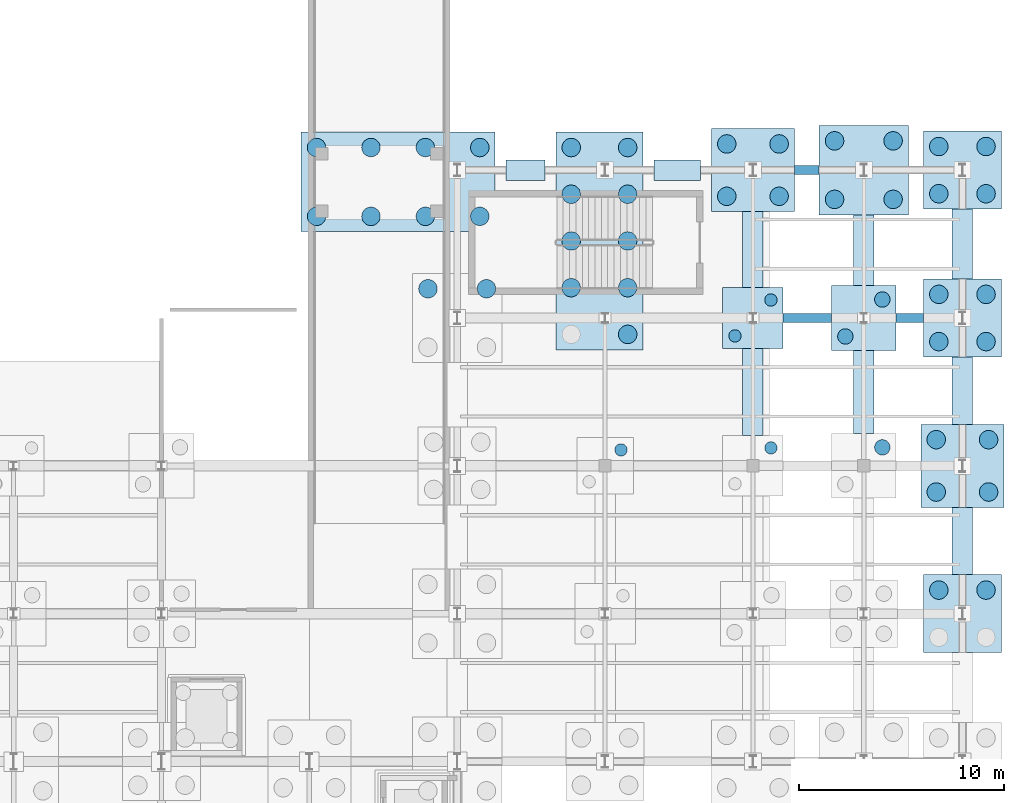
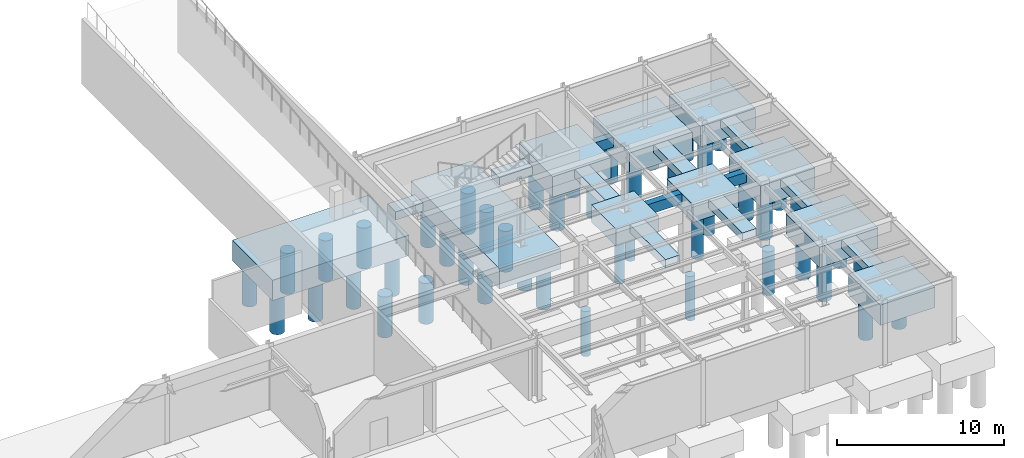
# One storey, part 15 of 64: 48 piles, 22 footings.
"""IFC4 building model written with IfcOpenShell, lengths in metres."""

from ifc_helpers import new_model, si_unit, direction, frame, origin, origin_2d, place, context, subcontext, project, spatial, rectangle, circle, extrude, material, material_profile, profile_set, type_object, element, save


model = new_model("IFC4")

# Units and contexts
model_context = context("Model", 3, precision=1e-05, world=origin(), true_north=direction((0.0, 1.0)))
body_context = subcontext(model_context, "Body", "Model", "MODEL_VIEW")
ifc_project = project(units=[si_unit("LENGTHUNIT", "METRE"), si_unit("AREAUNIT", "SQUARE_METRE"), si_unit("VOLUMEUNIT", "CUBIC_METRE"), si_unit("PLANEANGLEUNIT", "RADIAN"), si_unit("MASSUNIT", "GRAM", prefix="KILO")], contexts=[model_context])

# Site, building, storey
site_placement = place(None, origin())
site = spatial("IfcSite", under=ifc_project, at=site_placement, CompositionType="ELEMENT")
building_placement = place(site_placement, origin())
building = spatial("IfcBuilding", under=site, at=building_placement, Name="Solvadek Multi-Sports Hall", CompositionType="ELEMENT")
storey_placement = place(building_placement, frame((0.0, 0.0, -4.800048828125)))
storey = spatial("IfcBuildingStorey", under=building, at=storey_placement, Name="B1", CompositionType="ELEMENT", Elevation=-4.800048828125)

# Footings
ifc_material_1 = material(Name="Concrete M40", Category="concrete")
footing_type_1 = type_object("IfcFootingType", Name="STR-CAP-295X295X125", PredefinedType="PILE_CAP", material=ifc_material_1)
footing_1_placement = place(storey_placement, frame((151.199951171875, 63.60009765625, -1.25), z_axis=(0.0, 0.0, 1.0), x_axis=(1.0, 0.0, 0.0)))
element("IfcFooting", 1, at=footing_1_placement, inside=storey, type_object=footing_type_1, Name="Pile Cap PC-14 #211", PredefinedType="PILE_CAP", context=body_context, shape_type="SweptSolid", body=[
    extrude(rectangle(XDim=2.949951171875, YDim=2.949951171875, at=origin_2d()), origin(), (0.0, 0.0, 1.0), 1.25),
])
footing_type_2 = type_object("IfcFootingType", Name="STR-CAP-315X315X130", PredefinedType="PILE_CAP", material=ifc_material_1)
footing_2_placement = place(storey_placement, frame((156.60009765625, 63.60009765625, -1.2998046875), z_axis=(0.0, 0.0, 1.0), x_axis=(1.0, 0.0, 0.0)))
element("IfcFooting", 2, at=footing_2_placement, inside=storey, type_object=footing_type_2, Name="Pile Cap PC-15 #212", PredefinedType="PILE_CAP", context=body_context, shape_type="SweptSolid", body=[
    extrude(rectangle(XDim=3.14990234375, YDim=3.14990234375, at=origin_2d()), origin(), (0.0, 0.0, 1.0), 1.300048828125),
])
footing_type_3 = type_object("IfcFootingType", Name="STR-CAP-380X380X150", PredefinedType="PILE_CAP", material=ifc_material_1)
for number, where, z_axis, x_axis, name in (
    (3, (161.39990234375, 49.199951171875, -1.5), (0.0, 0.0, 1.0), (1.0, 0.0, 0.0), "Pile Cap PC-06 #157"),
    (4, (161.39990234375, 63.60009765625, -1.5), (0.0, 0.0, 1.0), (1.0, 0.0, 0.0), "Pile Cap PC-06 #199"),
    (5, (161.39990234375, 70.800048828125, -1.5), (0.0, 0.0, 1.0), (1.0, 0.0, 0.0), "Pile Cap PC-06 #220"),
):
    element("IfcFooting", number, at=place(storey_placement, frame(where, z_axis=z_axis, x_axis=x_axis)), inside=storey, type_object=footing_type_3, Name=name, PredefinedType="PILE_CAP", context=body_context, shape_type="SweptSolid", body=[
        extrude(rectangle(XDim=3.800048828125, YDim=3.800048828125, at=origin_2d()), origin(), (0.0, 0.0, 1.0), 1.5),
    ])
footing_type_4 = type_object("IfcFootingType", Name="STR-CAP-405X405X150", PredefinedType="PILE_CAP", material=ifc_material_1)
for number, where, z_axis, x_axis, name in (
    (6, (161.39990234375, 56.39990234375, -1.5), (0.0, 0.0, 1.0), (1.0, 0.0, 0.0), "Pile Cap PC-17 #176"),
    (7, (151.199951171875, 70.800048828125, -1.5), (0.0, 0.0, 1.0), (1.0, 0.0, 0.0), "Pile Cap PC-17 #218"),
):
    element("IfcFooting", number, at=place(storey_placement, frame(where, z_axis=z_axis, x_axis=x_axis)), inside=storey, type_object=footing_type_4, Name=name, PredefinedType="PILE_CAP", context=body_context, shape_type="SweptSolid", body=[
        extrude(rectangle(XDim=4.050048828125, YDim=4.050048828125, at=origin_2d()), origin(), (0.0, 0.0, 1.0), 1.5),
    ])
footing_type_5 = type_object("IfcFootingType", Name="STR-CAP-435X435X150", PredefinedType="PILE_CAP", material=ifc_material_1)
footing_3_placement = place(storey_placement, frame((156.60009765625, 70.800048828125, -1.5), z_axis=(0.0, 0.0, 1.0), x_axis=(1.0, 0.0, 0.0)))
element("IfcFooting", 8, at=footing_3_placement, inside=storey, type_object=footing_type_5, Name="Pile Cap PC-18 #219", PredefinedType="PILE_CAP", context=body_context, shape_type="SweptSolid", body=[
    extrude(rectangle(XDim=4.35009765625, YDim=4.35009765625, at=origin_2d()), origin(), (0.0, 0.0, 1.0), 1.5),
])
footing_type_6 = type_object("IfcFootingType", Name="STR-CAP-CMB-1060X425", PredefinedType="PILE_CAP", material=ifc_material_1)
footing_4_placement = place(storey_placement, frame((143.72509765625, 67.35009765625, -1.5), z_axis=(0.0, 0.0, 1.0), x_axis=(0.0, 1.0, 0.0)))
element("IfcFooting", 9, at=footing_4_placement, inside=storey, type_object=footing_type_6, Name="Pile Cap PC-R210 #210", PredefinedType="PILE_CAP", context=body_context, shape_type="SweptSolid", body=[
    extrude(rectangle(XDim=10.60009765625, YDim=4.25, at=origin_2d()), origin(), (0.0, 0.0, 1.0), 1.5),
])
footing_type_7 = type_object("IfcFootingType", Name="STR-CAP-CMB-945X485", PredefinedType="PILE_CAP", material=ifc_material_1)
footing_5_placement = place(storey_placement, frame((133.925048828125, 70.22509765625, -1.5), z_axis=(0.0, 0.0, 1.0), x_axis=(1.0, 0.0, 0.0)))
element("IfcFooting", 10, at=footing_5_placement, inside=storey, type_object=footing_type_7, Name="Pile Cap PC-R215 #215", PredefinedType="PILE_CAP", context=body_context, shape_type="SweptSolid", body=[
    extrude(rectangle(XDim=9.449951171875, YDim=4.85009765625, at=origin_2d()), origin(), (0.0, 0.0, 1.0), 1.5),
])
footing_type_8 = type_object("IfcFootingType", Name="STR-FTB-450X750", PredefinedType="FOOTING_BEAM", material=ifc_material_1)
footing_6_placement = place(storey_placement, frame((153.85009765625, 63.60009765625, -0.75), z_axis=(0.0, 0.0, 1.0), x_axis=(1.0, 0.0, 0.0)))
element("IfcFooting", 11, at=footing_6_placement, inside=storey, type_object=footing_type_8, Name="Foundation Beam FB-02 #152", PredefinedType="FOOTING_BEAM", context=body_context, shape_type="SweptSolid", body=[
    extrude(rectangle(XDim=2.35009765625, YDim=0.449951171875, at=origin_2d()), origin(), (0.0, 0.0, 1.0), 0.75),
])
footing_7_placement = place(storey_placement, frame((158.83740234375, 63.60009765625, -0.75), z_axis=(0.0, 0.0, 1.0), x_axis=(1.0, 0.0, 0.0)))
element("IfcFooting", 12, at=footing_7_placement, inside=storey, type_object=footing_type_8, Name="Foundation Beam FB-02 #153", PredefinedType="FOOTING_BEAM", context=body_context, shape_type="SweptSolid", body=[
    extrude(rectangle(XDim=1.324951171875, YDim=0.449951171875, at=origin_2d()), origin(), (0.0, 0.0, 1.0), 0.75),
])
footing_8_placement = place(storey_placement, frame((153.824951171875, 70.800048828125, -0.75), z_axis=(0.0, 0.0, 1.0), x_axis=(1.0, 0.0, 0.0)))
element("IfcFooting", 13, at=footing_8_placement, inside=storey, type_object=footing_type_8, Name="Foundation Beam FB-02 #164", PredefinedType="FOOTING_BEAM", context=body_context, shape_type="SweptSolid", body=[
    extrude(rectangle(XDim=1.199951171875, YDim=0.449951171875, at=origin_2d()), origin(), (0.0, 0.0, 1.0), 0.75),
])

# Piles
ifc_material_2 = material(Name="Concrete M35", Category="concrete")
ifc_material_profile_1 = material_profile(ifc_material_2, circle(Radius=0.300048828125, at=origin_2d()), Name="BORED PILE D600")
ifc_profile_set_1 = profile_set([ifc_material_profile_1], Name="Concrete M35")
pile_type_1 = type_object("IfcPileType", Name="STR-PILE-D600", PredefinedType="BORED", material=ifc_profile_set_1)
pile_placement = place(storey_placement, frame((144.77490234375, 57.175048828125, -1.099853515625), z_axis=(0.0, 0.0, -1.0), x_axis=(1.0, 0.0, 0.0)))
element("IfcPile", 14, at=pile_placement, inside=storey, type_object=pile_type_1, Name="Bored Pile PL-600 #603", PredefinedType="BORED", context=body_context, shape_type="SweptSolid", body=[
    extrude(circle(Radius=0.300048828125, at=origin_2d()), origin(), (0.0, 0.0, 1.0), 3.300048828125),
])
for number, where, z_axis, x_axis, name in (
    (15, (152.074951171875, 57.27490234375, -1.14990234375), (0.0, 0.0, -1.0), (1.0, 0.0, 0.0), "Bored Pile PL-600 #605"),
    (16, (150.324951171875, 62.72509765625, -1.14990234375), (0.0, 0.0, -1.0), (1.0, 0.0, 0.0), "Bored Pile PL-600 #660"),
    (17, (152.074951171875, 64.47509765625, -1.14990234375), (0.0, 0.0, -1.0), (1.0, 0.0, 0.0), "Bored Pile PL-600 #661"),
):
    element("IfcPile", number, at=place(storey_placement, frame(where, z_axis=z_axis, x_axis=x_axis)), inside=storey, type_object=pile_type_1, Name=name, PredefinedType="BORED", context=body_context, shape_type="SweptSolid", body=[
        extrude(circle(Radius=0.300048828125, at=origin_2d()), origin(), (0.0, 0.0, 1.0), 3.25),
    ])
ifc_material_profile_2 = material_profile(ifc_material_2, circle(Radius=0.375, at=origin_2d()), Name="BORED PILE D750")
ifc_profile_set_2 = profile_set([ifc_material_profile_2], Name="Concrete M35")
pile_type_2 = type_object("IfcPileType", Name="STR-PILE-D750", PredefinedType="BORED", material=ifc_profile_set_2)
for number, where, z_axis, x_axis, name in (
    (18, (157.5, 57.300048828125, -1.199951171875), (0.0, 0.0, -1.0), (1.0, 0.0, 0.0), "Bored Pile PL-750 #607"),
    (19, (155.699951171875, 62.699951171875, -1.199951171875), (0.0, 0.0, -1.0), (1.0, 0.0, 0.0), "Bored Pile PL-750 #662"),
    (20, (157.5, 64.5, -1.199951171875), (0.0, 0.0, -1.0), (1.0, 0.0, 0.0), "Bored Pile PL-750 #663"),
):
    element("IfcPile", number, at=place(storey_placement, frame(where, z_axis=z_axis, x_axis=x_axis)), inside=storey, type_object=pile_type_2, Name=name, PredefinedType="BORED", context=body_context, shape_type="SweptSolid", body=[
        extrude(circle(Radius=0.375, at=origin_2d()), origin(), (0.0, 0.0, 1.0), 3.199951171875),
    ])
ifc_material_profile_3 = material_profile(ifc_material_2, circle(Radius=0.449951171875, at=origin_2d()), Name="BORED PILE D900")
ifc_profile_set_3 = profile_set([ifc_material_profile_3], Name="Concrete M35")
pile_type_3 = type_object("IfcPileType", Name="STR-PILE-D900", PredefinedType="BORED", material=ifc_profile_set_3)
for number, where, z_axis, x_axis, name in (
    (21, (160.25, 50.35009765625, -1.39990234375), (0.0, 0.0, -1.0), (1.0, 0.0, 0.0), "Bored Pile PL-900 #507"),
    (22, (162.550048828125, 50.35009765625, -1.39990234375), (0.0, 0.0, -1.0), (1.0, 0.0, 0.0), "Bored Pile PL-900 #509"),
    (23, (160.125, 55.125, -1.39990234375), (0.0, 0.0, -1.0), (1.0, 0.0, 0.0), "Bored Pile PL-900 #560"),
    (24, (160.125, 57.675048828125, -1.39990234375), (0.0, 0.0, -1.0), (1.0, 0.0, 0.0), "Bored Pile PL-900 #561"),
    (25, (162.675048828125, 55.125, -1.39990234375), (0.0, 0.0, -1.0), (1.0, 0.0, 0.0), "Bored Pile PL-900 #562"),
    (26, (162.675048828125, 57.675048828125, -1.39990234375), (0.0, 0.0, -1.0), (1.0, 0.0, 0.0), "Bored Pile PL-900 #563"),
    (27, (135.375, 65.02490234375, -1.39990234375), (0.0, 0.0, -1.0), (1.0, 0.0, 0.0), "Bored Pile PL-900 #617"),
    (28, (138.22509765625, 65.02490234375, -1.39990234375), (0.0, 0.0, -1.0), (1.0, 0.0, 0.0), "Bored Pile PL-900 #619"),
    (29, (160.25, 62.449951171875, -1.39990234375), (0.0, 0.0, -1.0), (1.0, 0.0, 0.0), "Bored Pile PL-900 #620"),
    (30, (160.25, 64.75, -1.39990234375), (0.0, 0.0, -1.0), (1.0, 0.0, 0.0), "Bored Pile PL-900 #621"),
    (31, (162.550048828125, 62.449951171875, -1.39990234375), (0.0, 0.0, -1.0), (1.0, 0.0, 0.0), "Bored Pile PL-900 #622"),
    (32, (162.550048828125, 64.75, -1.39990234375), (0.0, 0.0, -1.0), (1.0, 0.0, 0.0), "Bored Pile PL-900 #623"),
    (33, (142.35009765625, 65.074951171875, -1.39990234375), (0.0, 0.0, -1.0), (1.0, 0.0, 0.0), "Bored Pile PL-900 #651"),
    (34, (142.35009765625, 67.35009765625, -1.39990234375), (0.0, 0.0, -1.0), (1.0, 0.0, 0.0), "Bored Pile PL-900 #652"),
    (35, (142.35009765625, 69.625, -1.39990234375), (0.0, 0.0, -1.0), (1.0, 0.0, 0.0), "Bored Pile PL-900 #653"),
    (36, (142.35009765625, 71.89990234375, -1.39990234375), (0.0, 0.0, -1.0), (1.0, 0.0, 0.0), "Bored Pile PL-900 #654"),
    (37, (145.10009765625, 62.800048828125, -1.39990234375), (0.0, 0.0, -1.0), (1.0, 0.0, 0.0), "Bored Pile PL-900 #655"),
    (38, (145.10009765625, 65.074951171875, -1.39990234375), (0.0, 0.0, -1.0), (1.0, 0.0, 0.0), "Bored Pile PL-900 #656"),
    (39, (145.10009765625, 67.35009765625, -1.39990234375), (0.0, 0.0, -1.0), (1.0, 0.0, 0.0), "Bored Pile PL-900 #657"),
    (40, (145.10009765625, 69.625, -1.39990234375), (0.0, 0.0, -1.0), (1.0, 0.0, 0.0), "Bored Pile PL-900 #658"),
    (41, (145.10009765625, 71.89990234375, -1.39990234375), (0.0, 0.0, -1.0), (1.0, 0.0, 0.0), "Bored Pile PL-900 #659"),
    (42, (129.949951171875, 68.550048828125, -1.39990234375), (0.0, 0.0, -1.0), (1.0, 0.0, 0.0), "Bored Pile PL-900 #676"),
    (43, (129.949951171875, 71.89990234375, -1.39990234375), (0.0, 0.0, -1.0), (1.0, 0.0, 0.0), "Bored Pile PL-900 #677"),
    (44, (132.60009765625, 68.550048828125, -1.39990234375), (0.0, 0.0, -1.0), (1.0, 0.0, 0.0), "Bored Pile PL-900 #678"),
    (45, (132.60009765625, 71.89990234375, -1.39990234375), (0.0, 0.0, -1.0), (1.0, 0.0, 0.0), "Bored Pile PL-900 #679"),
    (46, (135.25, 68.550048828125, -1.39990234375), (0.0, 0.0, -1.0), (1.0, 0.0, 0.0), "Bored Pile PL-900 #680"),
    (47, (135.25, 71.89990234375, -1.39990234375), (0.0, 0.0, -1.0), (1.0, 0.0, 0.0), "Bored Pile PL-900 #681"),
    (48, (137.89990234375, 68.550048828125, -1.39990234375), (0.0, 0.0, -1.0), (1.0, 0.0, 0.0), "Bored Pile PL-900 #682"),
    (49, (137.89990234375, 71.89990234375, -1.39990234375), (0.0, 0.0, -1.0), (1.0, 0.0, 0.0), "Bored Pile PL-900 #683"),
    (50, (149.925048828125, 69.52490234375, -1.39990234375), (0.0, 0.0, -1.0), (1.0, 0.0, 0.0), "Bored Pile PL-900 #692"),
    (51, (149.925048828125, 72.074951171875, -1.39990234375), (0.0, 0.0, -1.0), (1.0, 0.0, 0.0), "Bored Pile PL-900 #693"),
    (52, (152.47509765625, 69.52490234375, -1.39990234375), (0.0, 0.0, -1.0), (1.0, 0.0, 0.0), "Bored Pile PL-900 #694"),
    (53, (152.47509765625, 72.074951171875, -1.39990234375), (0.0, 0.0, -1.0), (1.0, 0.0, 0.0), "Bored Pile PL-900 #695"),
    (54, (155.175048828125, 69.375, -1.39990234375), (0.0, 0.0, -1.0), (1.0, 0.0, 0.0), "Bored Pile PL-900 #696"),
    (55, (155.175048828125, 72.22509765625, -1.39990234375), (0.0, 0.0, -1.0), (1.0, 0.0, 0.0), "Bored Pile PL-900 #697"),
    (56, (158.02490234375, 69.375, -1.39990234375), (0.0, 0.0, -1.0), (1.0, 0.0, 0.0), "Bored Pile PL-900 #698"),
    (57, (158.02490234375, 72.22509765625, -1.39990234375), (0.0, 0.0, -1.0), (1.0, 0.0, 0.0), "Bored Pile PL-900 #699"),
    (58, (160.25, 69.64990234375, -1.39990234375), (0.0, 0.0, -1.0), (1.0, 0.0, 0.0), "Bored Pile PL-900 #700"),
    (59, (160.25, 71.949951171875, -1.39990234375), (0.0, 0.0, -1.0), (1.0, 0.0, 0.0), "Bored Pile PL-900 #701"),
    (60, (162.550048828125, 69.64990234375, -1.39990234375), (0.0, 0.0, -1.0), (1.0, 0.0, 0.0), "Bored Pile PL-900 #702"),
    (61, (162.550048828125, 71.949951171875, -1.39990234375), (0.0, 0.0, -1.0), (1.0, 0.0, 0.0), "Bored Pile PL-900 #703"),
):
    element("IfcPile", number, at=place(storey_placement, frame(where, z_axis=z_axis, x_axis=x_axis)), inside=storey, type_object=pile_type_3, Name=name, PredefinedType="BORED", context=body_context, shape_type="SweptSolid", body=[
        extrude(circle(Radius=0.449951171875, at=origin_2d()), origin(), (0.0, 0.0, 1.0), 3.0),
    ])

# Footings
footing_type_9 = type_object("IfcFootingType", Name="STR-SFT-1000X600", PredefinedType="STRIP_FOOTING", material=ifc_material_1)
footing_9_placement = place(storey_placement, frame((151.199951171875, 60.0, -0.60009765625), z_axis=(0.0, 0.0, 1.0), x_axis=(0.0, 1.0, 0.0)))
element("IfcFooting", 62, at=footing_9_placement, inside=storey, type_object=footing_type_9, Name="Foundation Beam SF-02 #424", PredefinedType="STRIP_FOOTING", context=body_context, shape_type="SweptSolid", body=[
    extrude(rectangle(XDim=4.25, YDim=1.0, at=origin_2d()), origin(), (0.0, 0.0, 1.0), 0.60009765625),
])
footing_10_placement = place(storey_placement, frame((151.199951171875, 66.925048828125, -0.60009765625), z_axis=(0.0, 0.0, 1.0), x_axis=(0.0, 1.0, 0.0)))
element("IfcFooting", 63, at=footing_10_placement, inside=storey, type_object=footing_type_9, Name="Foundation Beam SF-02 #425", PredefinedType="STRIP_FOOTING", context=body_context, shape_type="SweptSolid", body=[
    extrude(rectangle(XDim=3.699951171875, YDim=1.0, at=origin_2d()), origin(), (0.0, 0.0, 1.0), 0.60009765625),
])
footing_11_placement = place(storey_placement, frame((156.60009765625, 60.0, -0.60009765625), z_axis=(0.0, 0.0, 1.0), x_axis=(0.0, 1.0, 0.0)))
element("IfcFooting", 64, at=footing_11_placement, inside=storey, type_object=footing_type_9, Name="Foundation Beam SF-02 #428", PredefinedType="STRIP_FOOTING", context=body_context, shape_type="SweptSolid", body=[
    extrude(rectangle(XDim=4.050048828125, YDim=1.0, at=origin_2d()), origin(), (0.0, 0.0, 1.0), 0.60009765625),
])
footing_12_placement = place(storey_placement, frame((156.60009765625, 66.89990234375, -0.60009765625), z_axis=(0.0, 0.0, 1.0), x_axis=(0.0, 1.0, 0.0)))
element("IfcFooting", 65, at=footing_12_placement, inside=storey, type_object=footing_type_9, Name="Foundation Beam SF-02 #429", PredefinedType="STRIP_FOOTING", context=body_context, shape_type="SweptSolid", body=[
    extrude(rectangle(XDim=3.449951171875, YDim=1.0, at=origin_2d()), origin(), (0.0, 0.0, 1.0), 0.60009765625),
])
for number, where, z_axis, x_axis, name in (
    (66, (161.39990234375, 52.737548828125, -0.60009765625), (0.0, 0.0, 1.0), (0.0, 1.0, 0.0), "Foundation Beam SF-02 #431"),
    (67, (161.39990234375, 60.0625, -0.60009765625), (0.0, 0.0, 1.0), (0.0, 1.0, 0.0), "Foundation Beam SF-02 #432"),
):
    element("IfcFooting", number, at=place(storey_placement, frame(where, z_axis=z_axis, x_axis=x_axis)), inside=storey, type_object=footing_type_9, Name=name, PredefinedType="STRIP_FOOTING", context=body_context, shape_type="SweptSolid", body=[
        extrude(rectangle(XDim=3.27490234375, YDim=1.0, at=origin_2d()), origin(), (0.0, 0.0, 1.0), 0.60009765625),
    ])
footing_13_placement = place(storey_placement, frame((161.39990234375, 67.199951171875, -0.60009765625), z_axis=(0.0, 0.0, 1.0), x_axis=(0.0, 1.0, 0.0)))
element("IfcFooting", 68, at=footing_13_placement, inside=storey, type_object=footing_type_9, Name="Foundation Beam SF-02 #433", PredefinedType="STRIP_FOOTING", context=body_context, shape_type="SweptSolid", body=[
    extrude(rectangle(XDim=3.39990234375, YDim=1.0, at=origin_2d()), origin(), (0.0, 0.0, 1.0), 0.60009765625),
])
footing_14_placement = place(storey_placement, frame((147.512451171875, 70.800048828125, -0.60009765625), z_axis=(0.0, 0.0, 1.0), x_axis=(-1.0, 0.0, 0.0)))
element("IfcFooting", 69, at=footing_14_placement, inside=storey, type_object=footing_type_9, Name="Perimeter Retaining Wall Strip Footing #449", PredefinedType="STRIP_FOOTING", context=body_context, shape_type="SweptSolid", body=[
    extrude(rectangle(XDim=2.284912109375, YDim=1.0, at=origin_2d()), origin(), (0.0, 0.0, 1.0), 0.60009765625),
])
footing_15_placement = place(storey_placement, frame((140.125, 70.800048828125, -0.60009765625), z_axis=(0.0, 0.0, 1.0), x_axis=(-1.0, 0.0, 0.0)))
element("IfcFooting", 70, at=footing_15_placement, inside=storey, type_object=footing_type_9, Name="Perimeter Retaining Wall Strip Footing #450", PredefinedType="STRIP_FOOTING", context=body_context, shape_type="SweptSolid", body=[
    extrude(rectangle(XDim=1.909912109375, YDim=1.0, at=origin_2d()), origin(), (0.0, 0.0, 1.0), 0.60009765625),
])

save(model, "model.ifc")
